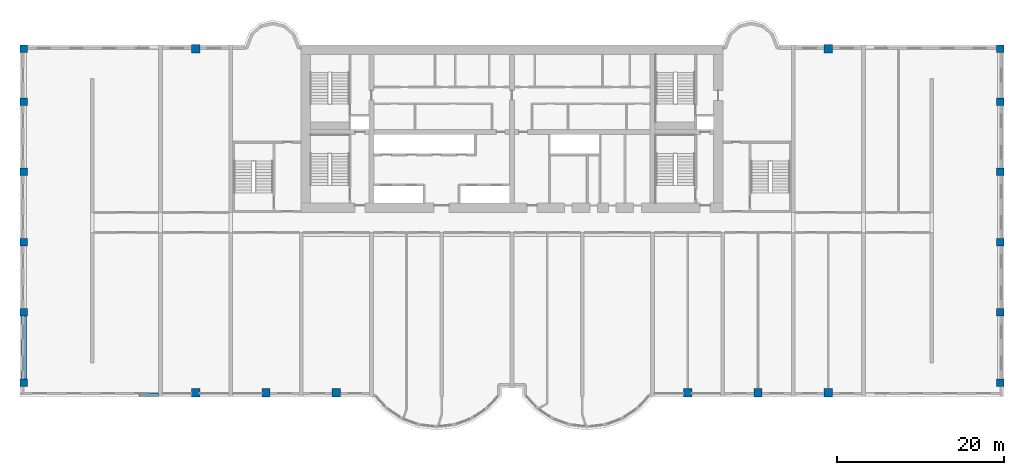
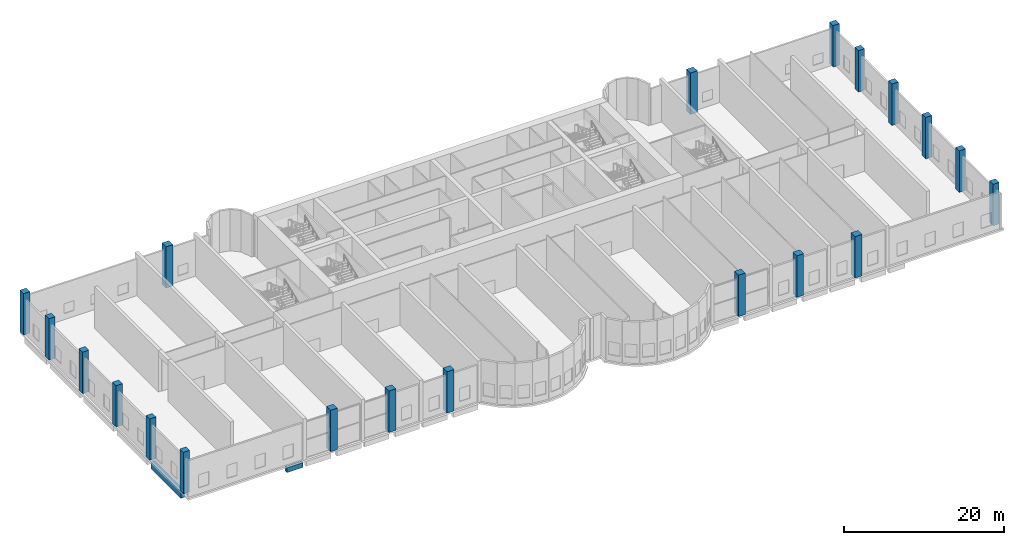
# One storey, part 1 of 15: 20 columns, 2 beams.
"""IFC4 building model written with IfcOpenShell, lengths in metres."""

from ifc_helpers import new_model, si_unit, direction, frame, origin, origin_2d, place, context, subcontext, project, spatial, rectangle, extrude, source, transform, mapped, material, material_profile, profile_set, type_object, element, save


model = new_model("IFC4")

# Units and contexts
model_context = context("Model", 3, precision=1e-05, world=origin(), true_north=direction((0.0, 1.0)))
body_context = subcontext(model_context, "Body", "Model", "MODEL_VIEW")
ifc_project = project(units=[si_unit("LENGTHUNIT", "METRE"), si_unit("AREAUNIT", "SQUARE_METRE"), si_unit("VOLUMEUNIT", "CUBIC_METRE"), si_unit("PLANEANGLEUNIT", "RADIAN"), si_unit("MASSUNIT", "GRAM", prefix="KILO")], contexts=[model_context])

# Site, building, storey
site_placement = place(None, origin())
site = spatial("IfcSite", under=ifc_project, at=site_placement, CompositionType="ELEMENT")
building_placement = place(site_placement, origin())
building = spatial("IfcBuilding", under=site, at=building_placement, Name="Vanashikhar Sky Hotel", CompositionType="ELEMENT")
storey_placement = place(building_placement, frame((0.0, 0.0, 11.39990234375)))
storey = spatial("IfcBuildingStorey", under=building, at=storey_placement, Name="L02", CompositionType="ELEMENT", Elevation=11.39990234375)

# Columns
ifc_material_1 = material(Name="Concrete M70", Category="concrete")
ifc_material_profile_1 = material_profile(ifc_material_1, rectangle(XDim=1.0, YDim=1.0, at=origin_2d()))
ifc_profile_set_1 = profile_set([ifc_material_profile_1], Name="RC 1000x1000 column Concrete M70")
column_type_1 = type_object("IfcColumnType", Name="RC 1000x1000 column Concrete M70", PredefinedType="COLUMN", material=ifc_profile_set_1)
shared_shape_1 = source(origin(), body_context, "Body", "SweptSolid", [
    extrude(rectangle(XDim=1.0, YDim=1.0, at=origin_2d()), origin(), (0.0, 0.0, 1.0), 6.320068359375),
])
for number, where, z_axis, x_axis, name in (
    (1, (12.60009765625, 0.449951171875, 0.0), (0.0, 0.0, 1.0), (1.0, 0.0, 0.0), "CL-L02-CF02"),
    (2, (21.0, 0.449951171875, 0.0), (0.0, 0.0, 1.0), (1.0, 0.0, 0.0), "CL-L02-CF03"),
    (3, (29.39990234375, 0.449951171875, 0.0), (0.0, 0.0, 1.0), (1.0, 0.0, 0.0), "CL-L02-CF04"),
    (4, (71.39990234375, 0.449951171875, 0.0), (0.0, 0.0, 1.0), (1.0, 0.0, 0.0), "CL-L02-CF09"),
    (5, (79.800048828125, 0.449951171875, 0.0), (0.0, 0.0, 1.0), (1.0, 0.0, 0.0), "CL-L02-CF10"),
    (6, (88.199951171875, 0.449951171875, 0.0), (0.0, 0.0, 1.0), (1.0, 0.0, 0.0), "CL-L02-CF11"),
    (7, (12.60009765625, 41.550048828125, 0.0), (0.0, 0.0, 1.0), (1.0, 0.0, 0.0), "CL-L02-CR02"),
    (8, (88.199951171875, 41.550048828125, 0.0), (0.0, 0.0, 1.0), (1.0, 0.0, 0.0), "CL-L02-CR11"),
):
    element("IfcColumn", number, at=place(storey_placement, frame(where, z_axis=z_axis, x_axis=x_axis)), inside=storey, type_object=column_type_1, Name=name, PredefinedType="COLUMN", context=body_context, shape_type="MappedRepresentation", body=[
        mapped(shared_shape_1, transform((0.0, 0.0, 0.0), scale=1.0)),
    ])
ifc_material_profile_2 = material_profile(ifc_material_1, rectangle(XDim=0.89990234375, YDim=0.89990234375, at=origin_2d()))
ifc_profile_set_2 = profile_set([ifc_material_profile_2], Name="RC 900x900 column Concrete M70")
column_type_2 = type_object("IfcColumnType", Name="RC 900x900 column Concrete M70", PredefinedType="COLUMN", material=ifc_profile_set_2)
shared_shape_2 = source(origin(), body_context, "Body", "SweptSolid", [
    extrude(rectangle(XDim=0.89990234375, YDim=0.89990234375, at=origin_2d()), origin(), (0.0, 0.0, 1.0), 6.320068359375),
])
for number, where, z_axis, x_axis, name in (
    (9, (-7.949951171875, 1.64990234375, 0.0), (0.0, 0.0, 1.0), (1.0, 0.0, 0.0), "CL-L02-CAW01"),
    (10, (108.75, 1.64990234375, 0.0), (0.0, 0.0, 1.0), (1.0, 0.0, 0.0), "CL-L02-CAE01"),
    (11, (-7.949951171875, 10.050048828125, 0.0), (0.0, 0.0, 1.0), (1.0, 0.0, 0.0), "CL-L02-CAW02"),
    (12, (108.75, 10.050048828125, 0.0), (0.0, 0.0, 1.0), (1.0, 0.0, 0.0), "CL-L02-CAE02"),
    (13, (-7.949951171875, 18.449951171875, 0.0), (0.0, 0.0, 1.0), (1.0, 0.0, 0.0), "CL-L02-CAW03"),
    (14, (108.75, 18.449951171875, 0.0), (0.0, 0.0, 1.0), (1.0, 0.0, 0.0), "CL-L02-CAE03"),
    (15, (-7.949951171875, 26.85009765625, 0.0), (0.0, 0.0, 1.0), (1.0, 0.0, 0.0), "CL-L02-CAW04"),
    (16, (108.75, 26.85009765625, 0.0), (0.0, 0.0, 1.0), (1.0, 0.0, 0.0), "CL-L02-CAE04"),
    (17, (-7.949951171875, 35.25, 0.0), (0.0, 0.0, 1.0), (1.0, 0.0, 0.0), "CL-L02-CAW05"),
    (18, (108.75, 35.25, 0.0), (0.0, 0.0, 1.0), (1.0, 0.0, 0.0), "CL-L02-CAE05"),
    (19, (-7.949951171875, 41.550048828125, 0.0), (0.0, 0.0, 1.0), (1.0, 0.0, 0.0), "CL-L02-CAW06"),
    (20, (108.75, 41.550048828125, 0.0), (0.0, 0.0, 1.0), (1.0, 0.0, 0.0), "CL-L02-CAE06"),
):
    element("IfcColumn", number, at=place(storey_placement, frame(where, z_axis=z_axis, x_axis=x_axis)), inside=storey, type_object=column_type_2, Name=name, PredefinedType="COLUMN", context=body_context, shape_type="MappedRepresentation", body=[
        mapped(shared_shape_2, transform((0.0, 0.0, 0.0), scale=1.0)),
    ])

# Beams
ifc_material_2 = material(Name="Concrete M50", Category="concrete")
ifc_material_profile_3 = material_profile(ifc_material_2, rectangle(XDim=0.449951171875, YDim=0.75, at=origin_2d()))
ifc_profile_set_3 = profile_set([ifc_material_profile_3], Name="RC 450x750 cantilever beam Concrete M50")
beam_type_1 = type_object("IfcBeamType", Name="RC 450x750 cantilever beam Concrete M50", PredefinedType="SPANDREL", material=ifc_profile_set_3)
shared_shape_3 = source(origin(), body_context, "Body", "SweptSolid", [
    extrude(rectangle(XDim=0.449951171875, YDim=0.75, at=origin_2d()), origin(), (0.0, 0.0, 1.0), 2.330078125),
])
beam_1_placement = place(storey_placement, frame((5.844970703125, 0.22509765625, -0.65478515625), z_axis=(1.0, 0.0, 0.0), x_axis=(0.0, 1.0, 0.0)))
element("IfcBeam", 21, at=beam_1_placement, inside=storey, type_object=beam_type_1, Name="EB-L02-F07", PredefinedType="SPANDREL", context=body_context, shape_type="MappedRepresentation", body=[
    mapped(shared_shape_3, transform((0.0, 0.0, 0.0), scale=1.0)),
])
ifc_material_profile_4 = material_profile(ifc_material_2, rectangle(XDim=0.60009765625, YDim=1.0, at=origin_2d()))
ifc_profile_set_4 = profile_set([ifc_material_profile_4], Name="RC 600x1000 beam Concrete M50")
beam_type_2 = type_object("IfcBeamType", Name="RC 600x1000 beam Concrete M50", PredefinedType="SPANDREL", material=ifc_profile_set_4)
shared_shape_4 = source(origin(), body_context, "Body", "SweptSolid", [
    extrude(rectangle(XDim=0.60009765625, YDim=1.0, at=origin_2d()), origin(), (0.0, 0.0, 1.0), 7.5),
])
beam_2_placement = place(storey_placement, frame((-7.949951171875, 2.10009765625, -0.77978515625), z_axis=(0.0, 1.0, 0.0), x_axis=(-1.0, 0.0, 0.0)))
element("IfcBeam", 22, at=beam_2_placement, inside=storey, type_object=beam_type_2, Name="EB-L02-A101", PredefinedType="SPANDREL", context=body_context, shape_type="MappedRepresentation", body=[
    mapped(shared_shape_4, transform((0.0, 0.0, 0.0), scale=1.0)),
])

save(model, "model.ifc")
